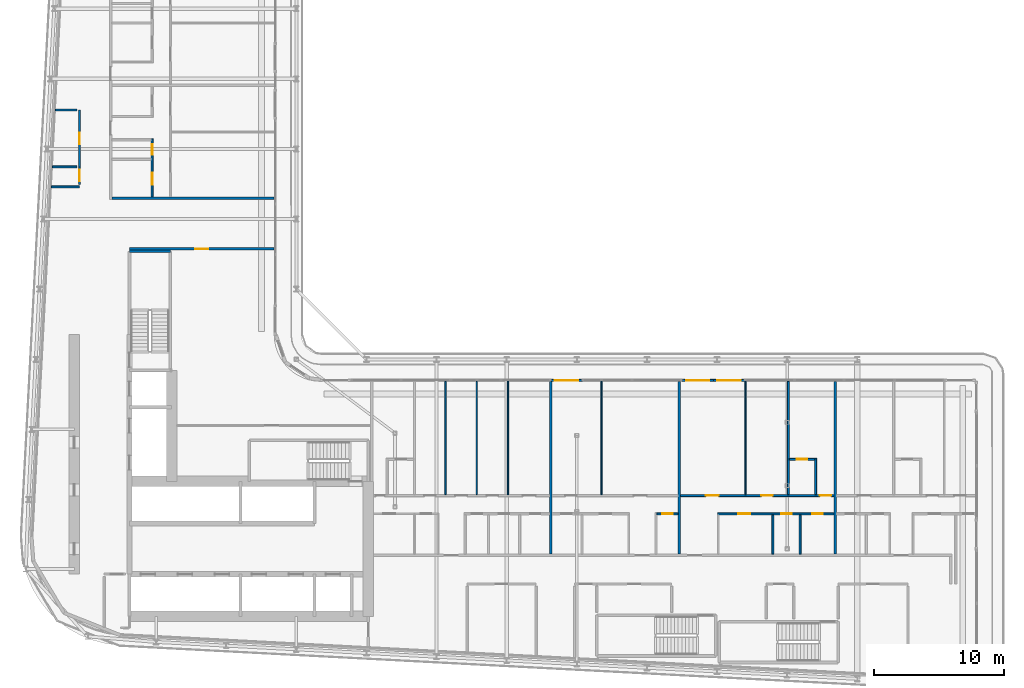
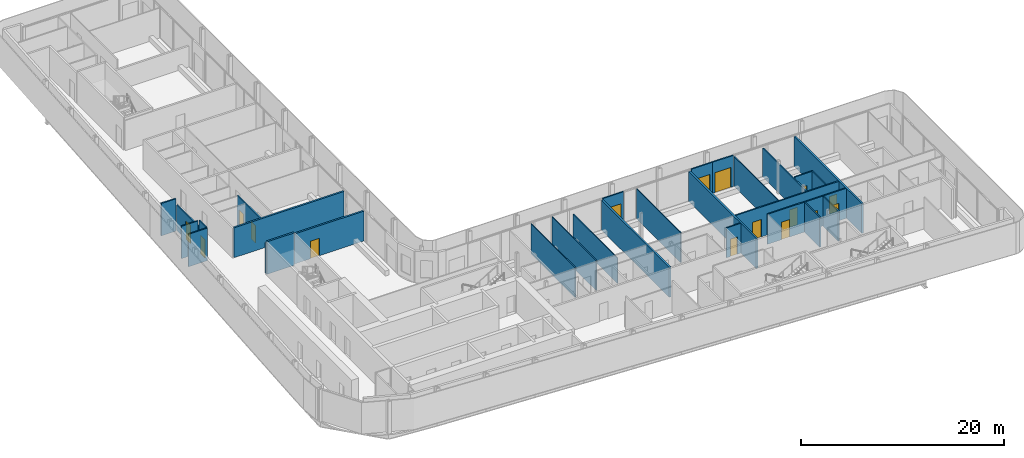
# One storey, part 19 of 30: 28 walls, 16 doors, 16 openings.
"""IFC4 building model written with IfcOpenShell, lengths in metres."""

from ifc_helpers import new_model, si_unit, direction, frame, frame_2d, origin, place, context, subcontext, project, spatial, rectangle, extrude, source, transform, mapped, material, layer, layer_set, type_object, element, fill, save


model = new_model("IFC4")

# Units and contexts
model_context = context("Model", 3, precision=1e-05, world=origin(), true_north=direction((0.0, 1.0)))
body_context = subcontext(model_context, "Body", "Model", "MODEL_VIEW")
ifc_project = project(units=[si_unit("LENGTHUNIT", "METRE"), si_unit("AREAUNIT", "SQUARE_METRE"), si_unit("VOLUMEUNIT", "CUBIC_METRE"), si_unit("PLANEANGLEUNIT", "RADIAN"), si_unit("MASSUNIT", "GRAM", prefix="KILO")], contexts=[model_context])

# Site, building, storey
site_placement = place(None, origin())
site = spatial("IfcSite", under=ifc_project, at=site_placement, CompositionType="ELEMENT")
building_placement = place(site_placement, origin())
building = spatial("IfcBuilding", under=site, at=building_placement, Name="Kheshtan School and Residences Tower", CompositionType="ELEMENT")
storey_placement = place(building_placement, frame((0.0, 0.0, 199.39990234375)))
storey = spatial("IfcBuildingStorey", under=building, at=storey_placement, Name="L47", CompositionType="ELEMENT", Elevation=199.39990234375)

# Wall
ifc_material_1 = material(Name="Gypsum board on steel studs with fire boards", Category="steel")
ifc_layer_1 = layer(ifc_material_1, 0.199951171875)
ifc_layer_set_1 = layer_set([ifc_layer_1], Name="Corridor wall 200")
wall_type_1 = type_object("IfcWallType", Name="Corridor wall 200", PredefinedType="PARTITIONING", material=ifc_layer_set_1)
wall_1_placement = place(storey_placement, frame((33.39990234375, 58.0, 0.0), z_axis=(0.0, 0.0, 1.0), x_axis=(1.0, 0.0, 0.0)))
element("IfcWall", 1, at=wall_1_placement, inside=storey, type_object=wall_type_1, Name="Partition L47-006", PredefinedType="PARTITIONING", context=body_context, shape_type="SweptSolid", body=[
    extrude(rectangle(XDim=12.5, YDim=0.199951171875, at=frame_2d((6.25, 0.0))), origin(), (0.0, 0.0, 1.0), 3.60009765625),
])

# Wall, opening, door
wall_2_placement = place(storey_placement, frame((34.75, 54.10009765625, 0.0), z_axis=(0.0, 0.0, 1.0), x_axis=(1.0, 0.0, 0.0)))
wall_2 = element("IfcWall", 2, at=wall_2_placement, inside=storey, type_object=wall_type_1, Name="Partition L47-019", PredefinedType="PARTITIONING", context=body_context, shape_type="SweptSolid", body=[
    extrude(rectangle(XDim=11.14990234375, YDim=0.199951171875, at=frame_2d((5.574951171875, 0.0))), origin(), (0.0, 0.0, 1.0), 3.60009765625),
])
opening_1_placement = place(wall_2_placement, frame((5.074951171875, 0.0, 0.0)))
opening_1 = element("IfcOpeningElement", 3, at=opening_1_placement, cuts=wall_2, Name="Opening D46-056", PredefinedType="OPENING", context=body_context, shape_type="SweptSolid", body=[
    extrude(rectangle(XDim=1.0, YDim=2.10009765625, at=frame_2d((0.5, 1.050048828125))), frame((0.0, 0.10986328125, 0.0), z_axis=(0.0, -1.0, 0.0), x_axis=(1.0, 0.0, 0.0)), (0.0, 0.0, 1.0), 0.219970703125),
])
ifc_material_2 = material(Name="Steel-framed fire-resisting door leaf", Category="steel")
door_type_1 = type_object("IfcDoorType", Name="Fire door FD60 1000 x 2100", OperationType="SINGLE_SWING_LEFT", PredefinedType="DOOR", material=ifc_material_2)
shared_shape_1 = source(origin(), body_context, "Body", "SweptSolid", [
    extrude(rectangle(XDim=1.0, YDim=2.10009765625, at=frame_2d((0.5, 1.050048828125))), frame((0.0, 0.02490234375, 0.0), z_axis=(0.0, -1.0, 0.0), x_axis=(1.0, 0.0, 0.0)), (0.0, 0.0, 1.0), 0.050048828125),
])
door_1_placement = place(opening_1_placement, origin())
door_1 = element("IfcDoor", 4, at=door_1_placement, inside=storey, type_object=door_type_1, Name="Door D46-056", OperationType="SINGLE_SWING_RIGHT", OverallHeight=2.10009765625, OverallWidth=1.0, PredefinedType="DOOR", context=body_context, shape_type="MappedRepresentation", body=[
    mapped(shared_shape_1, transform((0.0, 0.0, 0.0), x_axis=(1.0, 0.0, 0.0), y_axis=(0.0, 1.0, 0.0), z_axis=(0.0, 0.0, 1.0), scale=1.0)),
])
fill(opening_1, door_1)

ifc_material_3 = material(Name="Aluminium frame wall with insulated infill", Category="aluminium")
ifc_layer_2 = layer(ifc_material_3, 0.14990234375)
ifc_layer_set_2 = layer_set([ifc_layer_2], Name="Glazing frame wall 150")
wall_type_2 = type_object("IfcWallType", Name="Glazing frame wall 150", PredefinedType="SOLIDWALL", material=ifc_layer_set_2)
wall_3_placement = place(storey_placement, frame((67.218017578125, 43.97509765625, 0.0), z_axis=(0.0, 0.0, 1.0), x_axis=(1.0, 0.0, 0.0)))
wall_3 = element("IfcWall", 5, at=wall_3_placement, inside=storey, type_object=wall_type_2, Name="Balcony door wall L47 12.2", PredefinedType="SOLIDWALL", context=body_context, shape_type="SweptSolid", body=[
    extrude(rectangle(XDim=2.39990234375, YDim=0.14990234375, at=frame_2d((1.199951171875, 0.0))), origin(), (0.0, 0.0, 1.0), 3.75),
])
opening_2_placement = place(wall_3_placement, frame((0.300048828125, 0.0, 0.0)))
opening_2 = element("IfcOpeningElement", 6, at=opening_2_placement, cuts=wall_3, Name="Opening BD", PredefinedType="OPENING", context=body_context, shape_type="SweptSolid", body=[
    extrude(rectangle(XDim=1.800048828125, YDim=2.39990234375, at=frame_2d((0.89990234375, 1.199951171875))), frame((0.0, 0.0849609375, 0.0), z_axis=(0.0, -1.0, 0.0), x_axis=(1.0, 0.0, 0.0)), (0.0, 0.0, 1.0), 0.169921875),
])
ifc_material_4 = material(Name="Clear low-e glass in thermally broken aluminium frame", Category="aluminium")
door_type_2 = type_object("IfcDoorType", Name="Balcony sliding door", OperationType="SLIDING_TO_LEFT", PredefinedType="DOOR", material=ifc_material_4)
shared_shape_2 = source(origin(), body_context, "Body", "SweptSolid", [
    extrude(rectangle(XDim=1.800048828125, YDim=2.39990234375, at=frame_2d((0.89990234375, 1.199951171875))), frame((0.0, 0.02490234375, 0.0), z_axis=(0.0, -1.0, 0.0), x_axis=(1.0, 0.0, 0.0)), (0.0, 0.0, 1.0), 0.050048828125),
])
door_2_placement = place(opening_2_placement, origin())
door_2 = element("IfcDoor", 7, at=door_2_placement, inside=storey, type_object=door_type_2, Name="Balcony door L47 12.2", OperationType="SLIDING_TO_LEFT", OverallHeight=2.39990234375, OverallWidth=1.800048828125, PredefinedType="DOOR", context=body_context, shape_type="MappedRepresentation", body=[
    mapped(shared_shape_2, transform((0.0, 0.0, 0.0), x_axis=(1.0, 0.0, 0.0), y_axis=(0.0, 1.0, 0.0), z_axis=(0.0, 0.0, 1.0), scale=1.0)),
])
fill(opening_2, door_2)

wall_4_placement = place(storey_placement, frame((77.31201171875, 43.97509765625, 0.0), z_axis=(0.0, 0.0, 1.0), x_axis=(1.0, 0.0, 0.0)))
wall_4 = element("IfcWall", 8, at=wall_4_placement, inside=storey, type_object=wall_type_2, Name="Balcony door wall L47 12.3", PredefinedType="SOLIDWALL", context=body_context, shape_type="SweptSolid", body=[
    extrude(rectangle(XDim=2.39990234375, YDim=0.14990234375, at=frame_2d((1.199951171875, 0.0))), origin(), (0.0, 0.0, 1.0), 3.75),
])
opening_3_placement = place(wall_4_placement, frame((0.300048828125, 0.0, 0.0)))
opening_3 = element("IfcOpeningElement", 9, at=opening_3_placement, cuts=wall_4, Name="Opening BD", PredefinedType="OPENING", context=body_context, shape_type="SweptSolid", body=[
    extrude(rectangle(XDim=1.800048828125, YDim=2.39990234375, at=frame_2d((0.89990234375, 1.199951171875))), frame((0.0, 0.0849609375, 0.0), z_axis=(0.0, -1.0, 0.0), x_axis=(1.0, 0.0, 0.0)), (0.0, 0.0, 1.0), 0.169921875),
])
door_3_placement = place(opening_3_placement, origin())
door_3 = element("IfcDoor", 10, at=door_3_placement, inside=storey, type_object=door_type_2, Name="Balcony door L47 12.3", OperationType="SLIDING_TO_LEFT", OverallHeight=2.39990234375, OverallWidth=1.800048828125, PredefinedType="DOOR", context=body_context, shape_type="MappedRepresentation", body=[
    mapped(shared_shape_2, transform((0.0, 0.0, 0.0), x_axis=(1.0, 0.0, 0.0), y_axis=(0.0, 1.0, 0.0), z_axis=(0.0, 0.0, 1.0), scale=1.0)),
])
fill(opening_3, door_3)

wall_5_placement = place(storey_placement, frame((79.7119140625, 43.97509765625, 0.0), z_axis=(0.0, 0.0, 1.0), x_axis=(1.0, 0.0, 0.0)))
wall_5 = element("IfcWall", 11, at=wall_5_placement, inside=storey, type_object=wall_type_2, Name="Balcony door wall L47 12.4", PredefinedType="SOLIDWALL", context=body_context, shape_type="SweptSolid", body=[
    extrude(rectangle(XDim=2.400146484375, YDim=0.14990234375, at=frame_2d((1.2001953125, 0.0))), origin(), (0.0, 0.0, 1.0), 3.75),
])
opening_4_placement = place(wall_5_placement, frame((0.300048828125, 0.0, 0.0)))
opening_4 = element("IfcOpeningElement", 12, at=opening_4_placement, cuts=wall_5, Name="Opening BD", PredefinedType="OPENING", context=body_context, shape_type="SweptSolid", body=[
    extrude(rectangle(XDim=1.800048828125, YDim=2.39990234375, at=frame_2d((0.89990234375, 1.199951171875))), frame((0.0, 0.0849609375, 0.0), z_axis=(0.0, -1.0, 0.0), x_axis=(1.0, 0.0, 0.0)), (0.0, 0.0, 1.0), 0.169921875),
])
door_4_placement = place(opening_4_placement, origin())
door_4 = element("IfcDoor", 13, at=door_4_placement, inside=storey, type_object=door_type_2, Name="Balcony door L47 12.4", OperationType="SLIDING_TO_LEFT", OverallHeight=2.39990234375, OverallWidth=1.800048828125, PredefinedType="DOOR", context=body_context, shape_type="MappedRepresentation", body=[
    mapped(shared_shape_2, transform((0.0, 0.0, 0.0), x_axis=(1.0, 0.0, 0.0), y_axis=(0.0, 1.0, 0.0), z_axis=(0.0, 0.0, 1.0), scale=1.0)),
])
fill(opening_4, door_4)

# Walls
ifc_material_5 = material(Name="Gypsum board on steel studs", Category="steel")
ifc_layer_3 = layer(ifc_material_5, 0.10009765625)
ifc_layer_set_3 = layer_set([ifc_layer_3], Name="Gypsum partition 100")
wall_type_3 = type_object("IfcWallType", Name="Gypsum partition 100", PredefinedType="PARTITIONING", material=ifc_layer_set_3)
for number, where, z_axis, x_axis, name in (
    (14, (59.10009765625, 35.175048828125, 0.0), (0.0, 0.0, 1.0), (0.0, 1.0, 0.0), "Partition L47-042"),
    (15, (61.5, 35.175048828125, 0.0), (0.0, 0.0, 1.0), (0.0, 1.0, 0.0), "Partition L47-045"),
):
    element("IfcWall", number, at=place(storey_placement, frame(where, z_axis=z_axis, x_axis=x_axis)), inside=storey, type_object=wall_type_3, Name=name, PredefinedType="PARTITIONING", context=body_context, shape_type="SweptSolid", body=[
        extrude(rectangle(XDim=8.724853515625, YDim=0.10009765625, at=frame_2d((4.3623046875, 0.0))), origin(), (0.0, 0.0, 1.0), 3.60009765625),
    ])
wall_6_placement = place(storey_placement, frame((63.89990234375, 35.175048828125, 0.0), z_axis=(0.0, 0.0, 1.0), x_axis=(0.0, 1.0, 0.0)))
element("IfcWall", 16, at=wall_6_placement, inside=storey, type_object=wall_type_3, Name="Partition L47-047", PredefinedType="PARTITIONING", context=body_context, shape_type="SweptSolid", body=[
    extrude(rectangle(XDim=8.724853515625, YDim=0.10009765625, at=frame_2d((4.3623046875, 0.0))), origin(), (0.0, 0.0, 1.0), 3.072021484375),
])
for number, where, z_axis, x_axis, name in (
    (17, (71.10009765625, 35.175048828125, 0.0), (0.0, 0.0, 1.0), (0.0, 1.0, 0.0), "Partition L47-053"),
    (18, (82.199951171875, 35.175048828125, 0.0), (0.0, 0.0, 1.0), (0.0, 1.0, 0.0), "Partition L47-061"),
):
    element("IfcWall", number, at=place(storey_placement, frame(where, z_axis=z_axis, x_axis=x_axis)), inside=storey, type_object=wall_type_3, Name=name, PredefinedType="PARTITIONING", context=body_context, shape_type="SweptSolid", body=[
        extrude(rectangle(XDim=8.724853515625, YDim=0.10009765625, at=frame_2d((4.3623046875, 0.0))), origin(), (0.0, 0.0, 1.0), 3.60009765625),
    ])
ifc_material_6 = material(Name="Fire-board shaft wall system")
ifc_layer_4 = layer(ifc_material_6, 0.14990234375)
ifc_layer_set_4 = layer_set([ifc_layer_4], Name="Service room wall 150")
wall_type_4 = type_object("IfcWallType", Name="Service room wall 150", PredefinedType="PARTITIONING", material=ifc_layer_set_4)
wall_7_placement = place(storey_placement, frame((28.738037109375, 58.8720703125, 0.0), z_axis=(0.0, 0.0, 1.0), x_axis=(1.0, 0.0, 0.0)))
element("IfcWall", 19, at=wall_7_placement, inside=storey, type_object=wall_type_4, Name="Service room wall", PredefinedType="PARTITIONING", context=body_context, shape_type="SweptSolid", body=[
    extrude(rectangle(XDim=2.161865234375, YDim=0.14990234375, at=frame_2d((1.0810546875, 0.0))), origin(), (0.0, 0.0, 1.0), 3.900146484375),
])

# Wall, opening, door
wall_8_placement = place(storey_placement, frame((30.89990234375, 59.06689453125, 0.0), z_axis=(0.0, 0.0, 1.0), x_axis=(0.0, 1.0, 0.0)))
wall_8 = element("IfcWall", 20, at=wall_8_placement, inside=storey, type_object=wall_type_4, Name="Service room wall", PredefinedType="PARTITIONING", context=body_context, shape_type="SweptSolid", body=[
    extrude(rectangle(XDim=1.34716796875, YDim=0.14990234375, at=frame_2d((0.673583984375, 0.0))), origin(), (0.0, 0.0, 1.0), 3.900146484375),
])
opening_5_placement = place(wall_8_placement, frame((0.22607421875, 0.0, 0.0)))
opening_5 = element("IfcOpeningElement", 21, at=opening_5_placement, cuts=wall_8, Name="Opening SR90", PredefinedType="OPENING", context=body_context, shape_type="SweptSolid", body=[
    extrude(rectangle(XDim=0.89990234375, YDim=2.199951171875, at=frame_2d((0.449951171875, 1.10009765625))), frame((0.0, 0.0849609375, 0.0), z_axis=(0.0, -1.0, 0.0), x_axis=(1.0, 0.0, 0.0)), (0.0, 0.0, 1.0), 0.169921875),
])
ifc_material_7 = material(Name="Steel door leaf, galvanised", Category="steel")
door_type_3 = type_object("IfcDoorType", Name="Service room door 900 steel 90 min", OperationType="SINGLE_SWING_LEFT", PredefinedType="DOOR", material=ifc_material_7)
shared_shape_3 = source(origin(), body_context, "Body", "SweptSolid", [
    extrude(rectangle(XDim=0.89990234375, YDim=2.199951171875, at=frame_2d((0.449951171875, 1.10009765625))), frame((0.0, 0.02490234375, 0.0), z_axis=(0.0, -1.0, 0.0), x_axis=(1.0, 0.0, 0.0)), (0.0, 0.0, 1.0), 0.050048828125),
])
door_5_placement = place(opening_5_placement, origin())
door_5 = element("IfcDoor", 22, at=door_5_placement, inside=storey, type_object=door_type_3, Name="Service room door", OperationType="SINGLE_SWING_LEFT", OverallHeight=2.199951171875, OverallWidth=0.89990234375, PredefinedType="DOOR", context=body_context, shape_type="MappedRepresentation", body=[
    mapped(shared_shape_3, transform((0.0, 0.0, 0.0), x_axis=(1.0, 0.0, 0.0), y_axis=(0.0, 1.0, 0.0), z_axis=(0.0, 0.0, 1.0), scale=1.0)),
])
fill(opening_5, door_5)

# Wall
wall_9_placement = place(storey_placement, frame((28.820068359375, 60.4140625, 0.0), z_axis=(0.0, 0.0, 1.0), x_axis=(1.0, 0.0, 0.0)))
element("IfcWall", 23, at=wall_9_placement, inside=storey, type_object=wall_type_4, Name="Service room wall", PredefinedType="PARTITIONING", context=body_context, shape_type="SweptSolid", body=[
    extrude(rectangle(XDim=1.885009765625, YDim=0.14990234375, at=frame_2d((0.9423828125, 0.0))), origin(), (0.0, 0.0, 1.0), 3.900146484375),
])

# Wall, opening, door
wall_10_placement = place(storey_placement, frame((30.89990234375, 60.4140625, 0.0), z_axis=(0.0, 0.0, 1.0), x_axis=(0.0, 1.0, 0.0)))
wall_10 = element("IfcWall", 24, at=wall_10_placement, inside=storey, type_object=wall_type_4, Name="Service room wall", PredefinedType="PARTITIONING", context=body_context, shape_type="SweptSolid", body=[
    extrude(rectangle(XDim=4.385986328125, YDim=0.14990234375, at=frame_2d((2.19287109375, 0.0))), origin(), (0.0, 0.0, 1.0), 3.072021484375),
])
opening_6_placement = place(wall_10_placement, frame((1.742919921875, 0.0, 0.0)))
opening_6 = element("IfcOpeningElement", 25, at=opening_6_placement, cuts=wall_10, Name="Opening SR90", PredefinedType="OPENING", context=body_context, shape_type="SweptSolid", body=[
    extrude(rectangle(XDim=0.89990234375, YDim=2.199951171875, at=frame_2d((0.449951171875, 1.10009765625))), frame((0.0, 0.0849609375, 0.0), z_axis=(0.0, -1.0, 0.0), x_axis=(1.0, 0.0, 0.0)), (0.0, 0.0, 1.0), 0.169921875),
])
door_6_placement = place(opening_6_placement, origin())
door_6 = element("IfcDoor", 26, at=door_6_placement, inside=storey, type_object=door_type_3, Name="Service room door", OperationType="SINGLE_SWING_LEFT", OverallHeight=2.199951171875, OverallWidth=0.89990234375, PredefinedType="DOOR", context=body_context, shape_type="MappedRepresentation", body=[
    mapped(shared_shape_3, transform((0.0, 0.0, 0.0), x_axis=(1.0, 0.0, 0.0), y_axis=(0.0, 1.0, 0.0), z_axis=(0.0, 0.0, 1.0), scale=1.0)),
])
fill(opening_6, door_6)

# Walls
wall_11_placement = place(storey_placement, frame((29.050048828125, 64.800048828125, 0.0), z_axis=(0.0, 0.0, 1.0), x_axis=(1.0, 0.0, 0.0)))
element("IfcWall", 27, at=wall_11_placement, inside=storey, type_object=wall_type_4, Name="Service room wall", PredefinedType="PARTITIONING", context=body_context, shape_type="SweptSolid", body=[
    extrude(rectangle(XDim=1.655029296875, YDim=0.14990234375, at=frame_2d((0.82763671875, 0.0))), origin(), (0.0, 0.0, 1.0), 3.900146484375),
])
ifc_material_8 = material(Name="Concrete C40/50", Category="concrete")
ifc_layer_5 = layer(ifc_material_8, 0.199951171875)
ifc_layer_set_5 = layer_set([ifc_layer_5], Name="Stair enclosure wall 200 Concrete C40/50")
wall_type_5 = type_object("IfcWallType", Name="Stair enclosure wall 200 Concrete C40/50", PredefinedType="SHEAR", material=ifc_layer_set_5)
wall_12_placement = place(storey_placement, frame((34.75, 53.909912109375, 0.0), z_axis=(0.0, 0.0, 1.0), x_axis=(1.0, 0.0, 0.0)))
element("IfcWall", 28, at=wall_12_placement, inside=storey, type_object=wall_type_5, Name="Stair enclosure wall ST2", PredefinedType="SHEAR", context=body_context, shape_type="SweptSolid", body=[
    extrude(rectangle(XDim=3.14990234375, YDim=0.199951171875, at=frame_2d((1.574951171875, 0.0))), origin(), (0.0, 0.0, 1.0), 3.900146484375),
])
ifc_material_9 = material(Name="Twin gypsum board on steel studs with mineral wool", Category="steel")
ifc_layer_6 = layer(ifc_material_9, 0.199951171875)
ifc_layer_set_6 = layer_set([ifc_layer_6], Name="Unit demising wall 200")
wall_type_6 = type_object("IfcWallType", Name="Unit demising wall 200", PredefinedType="PARTITIONING", material=ifc_layer_set_6)
for number, where, z_axis, x_axis, name in (
    (29, (67.199951171875, 30.60009765625, 0.0), (0.0, 0.0, 1.0), (0.0, 1.0, 0.0), "Partition L47-049"),
    (30, (77.10009765625, 30.60009765625, 0.0), (0.0, 0.0, 1.0), (0.0, 1.0, 0.0), "Partition L47-057"),
    (31, (89.10009765625, 30.60009765625, 0.0), (0.0, 0.0, 1.0), (0.0, 1.0, 0.0), "Partition L47-067"),
):
    element("IfcWall", number, at=place(storey_placement, frame(where, z_axis=z_axis, x_axis=x_axis)), inside=storey, type_object=wall_type_6, Name=name, PredefinedType="PARTITIONING", context=body_context, shape_type="SweptSolid", body=[
        extrude(rectangle(XDim=13.2998046875, YDim=0.199951171875, at=frame_2d((6.64990234375, 0.0))), origin(), (0.0, 0.0, 1.0), 3.60009765625),
    ])

# Wall, openings, doors
ifc_material_10 = material(Name="Moisture-resistant gypsum board on steel studs", Category="steel")
ifc_layer_7 = layer(ifc_material_10, 0.14990234375)
ifc_layer_set_7 = layer_set([ifc_layer_7], Name="Wet-room partition 150")
wall_type_7 = type_object("IfcWallType", Name="Wet-room partition 150", PredefinedType="PARTITIONING", material=ifc_layer_set_7)
wall_13_placement = place(storey_placement, frame((36.5, 58.10009765625, 0.0), z_axis=(0.0, 0.0, 1.0), x_axis=(0.0, 1.0, 0.0)))
wall_13 = element("IfcWall", 32, at=wall_13_placement, inside=storey, type_object=wall_type_7, Name="Partition L47-020", PredefinedType="PARTITIONING", context=body_context, shape_type="SweptSolid", body=[
    extrude(rectangle(XDim=4.474853515625, YDim=0.14990234375, at=frame_2d((2.2373046875, 0.0))), origin(), (0.0, 0.0, 1.0), 3.60009765625),
])
opening_7_placement = place(wall_13_placement, frame((0.949951171875, 0.0, 0.0)))
opening_7 = element("IfcOpeningElement", 33, at=opening_7_placement, cuts=wall_13, Name="Opening D46-039", PredefinedType="OPENING", context=body_context, shape_type="SweptSolid", body=[
    extrude(rectangle(XDim=0.89990234375, YDim=2.10009765625, at=frame_2d((0.449951171875, 1.050048828125))), frame((0.0, 0.0849609375, 0.0), z_axis=(0.0, -1.0, 0.0), x_axis=(1.0, 0.0, 0.0)), (0.0, 0.0, 1.0), 0.169921875),
])
opening_8_placement = place(wall_13_placement, frame((3.25, 0.0, 0.0)))
opening_8 = element("IfcOpeningElement", 34, at=opening_8_placement, cuts=wall_13, Name="Opening D46-041", PredefinedType="OPENING", context=body_context, shape_type="SweptSolid", body=[
    extrude(rectangle(XDim=0.800048828125, YDim=2.10009765625, at=frame_2d((0.39990234375, 1.050048828125))), frame((0.0, 0.0849609375, 0.0), z_axis=(0.0, -1.0, 0.0), x_axis=(1.0, 0.0, 0.0)), (0.0, 0.0, 1.0), 0.169921875),
])
ifc_material_11 = material(Name="Veneered timber door leaf", Category="wood")
door_type_4 = type_object("IfcDoorType", Name="Door 800 x 2100", OperationType="SINGLE_SWING_LEFT", PredefinedType="DOOR", material=ifc_material_11)
shared_shape_4 = source(origin(), body_context, "Body", "SweptSolid", [
    extrude(rectangle(XDim=0.800048828125, YDim=2.10009765625, at=frame_2d((0.39990234375, 1.050048828125))), frame((0.0, 0.02490234375, 0.0), z_axis=(0.0, -1.0, 0.0), x_axis=(1.0, 0.0, 0.0)), (0.0, 0.0, 1.0), 0.050048828125),
])
door_7_placement = place(opening_8_placement, origin())
door_7 = element("IfcDoor", 35, at=door_7_placement, inside=storey, type_object=door_type_4, Name="Door D46-041", OperationType="SINGLE_SWING_RIGHT", OverallHeight=2.10009765625, OverallWidth=0.800048828125, PredefinedType="DOOR", context=body_context, shape_type="MappedRepresentation", body=[
    mapped(shared_shape_4, transform((0.0, 0.0, 0.0), x_axis=(1.0, 0.0, 0.0), y_axis=(0.0, 1.0, 0.0), z_axis=(0.0, 0.0, 1.0), scale=1.0)),
])
fill(opening_8, door_7)
door_type_5 = type_object("IfcDoorType", Name="Door 900 x 2100", OperationType="SINGLE_SWING_LEFT", PredefinedType="DOOR", material=ifc_material_11)
shared_shape_5 = source(origin(), body_context, "Body", "SweptSolid", [
    extrude(rectangle(XDim=0.89990234375, YDim=2.10009765625, at=frame_2d((0.449951171875, 1.050048828125))), frame((0.0, 0.02490234375, 0.0), z_axis=(0.0, -1.0, 0.0), x_axis=(1.0, 0.0, 0.0)), (0.0, 0.0, 1.0), 0.050048828125),
])
door_8_placement = place(opening_7_placement, origin())
door_8 = element("IfcDoor", 36, at=door_8_placement, inside=storey, type_object=door_type_5, Name="Door D46-039", OperationType="SINGLE_SWING_RIGHT", OverallHeight=2.10009765625, OverallWidth=0.89990234375, PredefinedType="DOOR", context=body_context, shape_type="MappedRepresentation", body=[
    mapped(shared_shape_5, transform((0.0, 0.0, 0.0), x_axis=(1.0, 0.0, 0.0), y_axis=(0.0, 1.0, 0.0), z_axis=(0.0, 0.0, 1.0), scale=1.0)),
])
fill(opening_7, door_8)

# Wall, opening, door
wall_14_placement = place(storey_placement, frame((75.375, 33.699951171875, 0.0), z_axis=(0.0, 0.0, 1.0), x_axis=(1.0, 0.0, 0.0)))
wall_14 = element("IfcWall", 37, at=wall_14_placement, inside=storey, type_object=wall_type_7, Name="Partition L47-056", PredefinedType="PARTITIONING", context=body_context, shape_type="SweptSolid", body=[
    extrude(rectangle(XDim=1.625, YDim=0.14990234375, at=frame_2d((0.8125, 0.0))), origin(), (0.0, 0.0, 1.0), 3.60009765625),
])
opening_9_placement = place(wall_14_placement, frame((0.425048828125, 0.0, 0.0)))
opening_9 = element("IfcOpeningElement", 38, at=opening_9_placement, cuts=wall_14, Name="Opening D46-018", PredefinedType="OPENING", context=body_context, shape_type="SweptSolid", body=[
    extrude(rectangle(XDim=0.800048828125, YDim=2.10009765625, at=frame_2d((0.39990234375, 1.050048828125))), frame((0.0, 0.0849609375, 0.0), z_axis=(0.0, -1.0, 0.0), x_axis=(1.0, 0.0, 0.0)), (0.0, 0.0, 1.0), 0.169921875),
])
door_9_placement = place(opening_9_placement, origin())
door_9 = element("IfcDoor", 39, at=door_9_placement, inside=storey, type_object=door_type_4, Name="Door D46-018", OperationType="SINGLE_SWING_LEFT", OverallHeight=2.10009765625, OverallWidth=0.800048828125, PredefinedType="DOOR", context=body_context, shape_type="MappedRepresentation", body=[
    mapped(shared_shape_4, transform((0.0, 0.0, 0.0), x_axis=(1.0, 0.0, 0.0), y_axis=(0.0, 1.0, 0.0), z_axis=(0.0, 0.0, 1.0), scale=1.0)),
])
fill(opening_9, door_9)

# Wall, openings, doors
wall_15_placement = place(storey_placement, frame((77.199951171875, 35.10009765625, 0.0), z_axis=(0.0, 0.0, 1.0), x_axis=(1.0, 0.0, 0.0)))
wall_15 = element("IfcWall", 40, at=wall_15_placement, inside=storey, type_object=wall_type_7, Name="Partition L47-058", PredefinedType="PARTITIONING", context=body_context, shape_type="SweptSolid", body=[
    extrude(rectangle(XDim=11.800048828125, YDim=0.14990234375, at=frame_2d((5.89990234375, 0.0))), origin(), (0.0, 0.0, 1.0), 3.60009765625),
])
opening_10_placement = place(wall_15_placement, frame((6.199951171875, 0.0, 0.0)))
opening_10 = element("IfcOpeningElement", 41, at=opening_10_placement, cuts=wall_15, Name="Opening D46-020", PredefinedType="OPENING", context=body_context, shape_type="SweptSolid", body=[
    extrude(rectangle(XDim=0.89990234375, YDim=2.10009765625, at=frame_2d((0.449951171875, 1.050048828125))), frame((0.0, 0.0849609375, 0.0), z_axis=(0.0, -1.0, 0.0), x_axis=(1.0, 0.0, 0.0)), (0.0, 0.0, 1.0), 0.169921875),
])
opening_11_placement = place(wall_15_placement, frame((1.949951171875, 0.0, 0.0)))
opening_11 = element("IfcOpeningElement", 42, at=opening_11_placement, cuts=wall_15, Name="Opening D46-024", PredefinedType="OPENING", context=body_context, shape_type="SweptSolid", body=[
    extrude(rectangle(XDim=1.0, YDim=2.10009765625, at=frame_2d((0.5, 1.050048828125))), frame((0.0, 0.0849609375, 0.0), z_axis=(0.0, -1.0, 0.0), x_axis=(1.0, 0.0, 0.0)), (0.0, 0.0, 1.0), 0.169921875),
])
opening_12_placement = place(wall_15_placement, frame((10.699951171875, 0.0, 0.0)))
opening_12 = element("IfcOpeningElement", 43, at=opening_12_placement, cuts=wall_15, Name="Opening D46-025", PredefinedType="OPENING", context=body_context, shape_type="SweptSolid", body=[
    extrude(rectangle(XDim=0.89990234375, YDim=2.10009765625, at=frame_2d((0.449951171875, 1.050048828125))), frame((0.0, 0.0849609375, 0.0), z_axis=(0.0, -1.0, 0.0), x_axis=(1.0, 0.0, 0.0)), (0.0, 0.0, 1.0), 0.169921875),
])
door_type_6 = type_object("IfcDoorType", Name="Door 1000 x 2100", OperationType="SINGLE_SWING_LEFT", PredefinedType="DOOR", material=ifc_material_11)
shared_shape_6 = source(origin(), body_context, "Body", "SweptSolid", [
    extrude(rectangle(XDim=1.0, YDim=2.10009765625, at=frame_2d((0.5, 1.050048828125))), frame((0.0, 0.02490234375, 0.0), z_axis=(0.0, -1.0, 0.0), x_axis=(1.0, 0.0, 0.0)), (0.0, 0.0, 1.0), 0.050048828125),
])
door_10_placement = place(opening_11_placement, origin())
door_10 = element("IfcDoor", 44, at=door_10_placement, inside=storey, type_object=door_type_6, Name="Door D46-024", OperationType="SINGLE_SWING_LEFT", OverallHeight=2.10009765625, OverallWidth=1.0, PredefinedType="DOOR", context=body_context, shape_type="MappedRepresentation", body=[
    mapped(shared_shape_6, transform((0.0, 0.0, 0.0), x_axis=(1.0, 0.0, 0.0), y_axis=(0.0, 1.0, 0.0), z_axis=(0.0, 0.0, 1.0), scale=1.0)),
])
fill(opening_11, door_10)
door_11_placement = place(opening_10_placement, origin())
door_11 = element("IfcDoor", 45, at=door_11_placement, inside=storey, type_object=door_type_5, Name="Door D46-020", OperationType="SINGLE_SWING_LEFT", OverallHeight=2.10009765625, OverallWidth=0.89990234375, PredefinedType="DOOR", context=body_context, shape_type="MappedRepresentation", body=[
    mapped(shared_shape_5, transform((0.0, 0.0, 0.0), x_axis=(1.0, 0.0, 0.0), y_axis=(0.0, 1.0, 0.0), z_axis=(0.0, 0.0, 1.0), scale=1.0)),
])
fill(opening_10, door_11)
door_12_placement = place(opening_12_placement, origin())
door_12 = element("IfcDoor", 46, at=door_12_placement, inside=storey, type_object=door_type_5, Name="Door D46-025", OperationType="SINGLE_SWING_LEFT", OverallHeight=2.10009765625, OverallWidth=0.89990234375, PredefinedType="DOOR", context=body_context, shape_type="MappedRepresentation", body=[
    mapped(shared_shape_5, transform((0.0, 0.0, 0.0), x_axis=(1.0, 0.0, 0.0), y_axis=(0.0, 1.0, 0.0), z_axis=(0.0, 0.0, 1.0), scale=1.0)),
])
fill(opening_12, door_12)

wall_16_placement = place(storey_placement, frame((80.050048828125, 33.699951171875, 0.0), z_axis=(0.0, 0.0, 1.0), x_axis=(1.0, 0.0, 0.0)))
wall_16 = element("IfcWall", 47, at=wall_16_placement, inside=storey, type_object=wall_type_7, Name="Partition L47-059", PredefinedType="PARTITIONING", context=body_context, shape_type="SweptSolid", body=[
    extrude(rectangle(XDim=8.949951171875, YDim=0.14990234375, at=frame_2d((4.47509765625, 0.0))), origin(), (0.0, 0.0, 1.0), 3.60009765625),
])
opening_13_placement = place(wall_16_placement, frame((7.300048828125, 0.0, 0.0)))
opening_13 = element("IfcOpeningElement", 48, at=opening_13_placement, cuts=wall_16, Name="Opening D46-019", PredefinedType="OPENING", context=body_context, shape_type="SweptSolid", body=[
    extrude(rectangle(XDim=0.800048828125, YDim=2.10009765625, at=frame_2d((0.39990234375, 1.050048828125))), frame((0.0, 0.0849609375, 0.0), z_axis=(0.0, -1.0, 0.0), x_axis=(1.0, 0.0, 0.0)), (0.0, 0.0, 1.0), 0.169921875),
])
opening_14_placement = place(wall_16_placement, frame((1.60009765625, 0.0, 0.0)))
opening_14 = element("IfcOpeningElement", 49, at=opening_14_placement, cuts=wall_16, Name="Opening D46-023", PredefinedType="OPENING", context=body_context, shape_type="SweptSolid", body=[
    extrude(rectangle(XDim=0.89990234375, YDim=2.10009765625, at=frame_2d((0.449951171875, 1.050048828125))), frame((0.0, 0.0849609375, 0.0), z_axis=(0.0, -1.0, 0.0), x_axis=(1.0, 0.0, 0.0)), (0.0, 0.0, 1.0), 0.169921875),
])
opening_15_placement = place(wall_16_placement, frame((4.89990234375, 0.0, 0.0)))
opening_15 = element("IfcOpeningElement", 50, at=opening_15_placement, cuts=wall_16, Name="Opening D46-026", PredefinedType="OPENING", context=body_context, shape_type="SweptSolid", body=[
    extrude(rectangle(XDim=0.800048828125, YDim=2.10009765625, at=frame_2d((0.39990234375, 1.050048828125))), frame((0.0, 0.0849609375, 0.0), z_axis=(0.0, -1.0, 0.0), x_axis=(1.0, 0.0, 0.0)), (0.0, 0.0, 1.0), 0.169921875),
])
door_13_placement = place(opening_13_placement, origin())
door_13 = element("IfcDoor", 51, at=door_13_placement, inside=storey, type_object=door_type_4, Name="Door D46-019", OperationType="SINGLE_SWING_RIGHT", OverallHeight=2.10009765625, OverallWidth=0.800048828125, PredefinedType="DOOR", context=body_context, shape_type="MappedRepresentation", body=[
    mapped(shared_shape_4, transform((0.0, 0.0, 0.0), x_axis=(1.0, 0.0, 0.0), y_axis=(0.0, 1.0, 0.0), z_axis=(0.0, 0.0, 1.0), scale=1.0)),
])
fill(opening_13, door_13)
door_14_placement = place(opening_15_placement, origin())
door_14 = element("IfcDoor", 52, at=door_14_placement, inside=storey, type_object=door_type_4, Name="Door D46-026", OperationType="SINGLE_SWING_RIGHT", OverallHeight=2.10009765625, OverallWidth=0.800048828125, PredefinedType="DOOR", context=body_context, shape_type="MappedRepresentation", body=[
    mapped(shared_shape_4, transform((0.0, 0.0, 0.0), x_axis=(1.0, 0.0, 0.0), y_axis=(0.0, 1.0, 0.0), z_axis=(0.0, 0.0, 1.0), scale=1.0)),
])
fill(opening_15, door_14)
door_15_placement = place(opening_14_placement, origin())
door_15 = element("IfcDoor", 53, at=door_15_placement, inside=storey, type_object=door_type_5, Name="Door D46-023", OperationType="SINGLE_SWING_LEFT", OverallHeight=2.10009765625, OverallWidth=0.89990234375, PredefinedType="DOOR", context=body_context, shape_type="MappedRepresentation", body=[
    mapped(shared_shape_5, transform((0.0, 0.0, 0.0), x_axis=(1.0, 0.0, 0.0), y_axis=(0.0, 1.0, 0.0), z_axis=(0.0, 0.0, 1.0), scale=1.0)),
])
fill(opening_14, door_15)

# Walls
wall_17_placement = place(storey_placement, frame((84.300048828125, 30.60009765625, 0.0), z_axis=(0.0, 0.0, 1.0), x_axis=(0.0, 1.0, 0.0)))
element("IfcWall", 54, at=wall_17_placement, inside=storey, type_object=wall_type_7, Name="Partition L47-062", PredefinedType="PARTITIONING", context=body_context, shape_type="SweptSolid", body=[
    extrude(rectangle(XDim=3.02490234375, YDim=0.14990234375, at=frame_2d((1.512451171875, 0.0))), origin(), (0.0, 0.0, 1.0), 3.60009765625),
])
wall_18_placement = place(storey_placement, frame((85.5, 35.175048828125, 0.0), z_axis=(0.0, 0.0, 1.0), x_axis=(0.0, 1.0, 0.0)))
element("IfcWall", 55, at=wall_18_placement, inside=storey, type_object=wall_type_7, Name="Partition L47-063", PredefinedType="PARTITIONING", context=body_context, shape_type="SweptSolid", body=[
    extrude(rectangle(XDim=8.724853515625, YDim=0.14990234375, at=frame_2d((4.3623046875, 0.0))), origin(), (0.0, 0.0, 1.0), 3.447021484375),
])

# Wall, opening, door
wall_19_placement = place(storey_placement, frame((85.574951171875, 37.89990234375, 0.0), z_axis=(0.0, 0.0, 1.0), x_axis=(1.0, 0.0, 0.0)))
wall_19 = element("IfcWall", 56, at=wall_19_placement, inside=storey, type_object=wall_type_7, Name="Partition L47-064", PredefinedType="PARTITIONING", context=body_context, shape_type="SweptSolid", body=[
    extrude(rectangle(XDim=1.949951171875, YDim=0.14990234375, at=frame_2d((0.97509765625, 0.0))), origin(), (0.0, 0.0, 1.0), 3.60009765625),
])
opening_16_placement = place(wall_19_placement, frame((0.574951171875, 0.0, 0.0)))
opening_16 = element("IfcOpeningElement", 57, at=opening_16_placement, cuts=wall_19, Name="Opening D46-021", PredefinedType="OPENING", context=body_context, shape_type="SweptSolid", body=[
    extrude(rectangle(XDim=0.800048828125, YDim=2.10009765625, at=frame_2d((0.39990234375, 1.050048828125))), frame((0.0, 0.0849609375, 0.0), z_axis=(0.0, -1.0, 0.0), x_axis=(1.0, 0.0, 0.0)), (0.0, 0.0, 1.0), 0.169921875),
])
door_16_placement = place(opening_16_placement, origin())
door_16 = element("IfcDoor", 58, at=door_16_placement, inside=storey, type_object=door_type_4, Name="Door D46-021", OperationType="SINGLE_SWING_LEFT", OverallHeight=2.10009765625, OverallWidth=0.800048828125, PredefinedType="DOOR", context=body_context, shape_type="MappedRepresentation", body=[
    mapped(shared_shape_4, transform((0.0, 0.0, 0.0), x_axis=(1.0, 0.0, 0.0), y_axis=(0.0, 1.0, 0.0), z_axis=(0.0, 0.0, 1.0), scale=1.0)),
])
fill(opening_16, door_16)

# Walls
wall_20_placement = place(storey_placement, frame((86.39990234375, 30.60009765625, 0.0), z_axis=(0.0, 0.0, 1.0), x_axis=(0.0, 1.0, 0.0)))
element("IfcWall", 59, at=wall_20_placement, inside=storey, type_object=wall_type_7, Name="Partition L47-065", PredefinedType="PARTITIONING", context=body_context, shape_type="SweptSolid", body=[
    extrude(rectangle(XDim=3.02490234375, YDim=0.14990234375, at=frame_2d((1.512451171875, 0.0))), origin(), (0.0, 0.0, 1.0), 3.60009765625),
])
wall_21_placement = place(storey_placement, frame((87.60009765625, 35.175048828125, 0.0), z_axis=(0.0, 0.0, 1.0), x_axis=(0.0, 1.0, 0.0)))
element("IfcWall", 60, at=wall_21_placement, inside=storey, type_object=wall_type_7, Name="Partition L47-066", PredefinedType="PARTITIONING", context=body_context, shape_type="SweptSolid", body=[
    extrude(rectangle(XDim=2.800048828125, YDim=0.14990234375, at=frame_2d((1.39990234375, 0.0))), origin(), (0.0, 0.0, 1.0), 3.60009765625),
])

save(model, "model.ifc")
